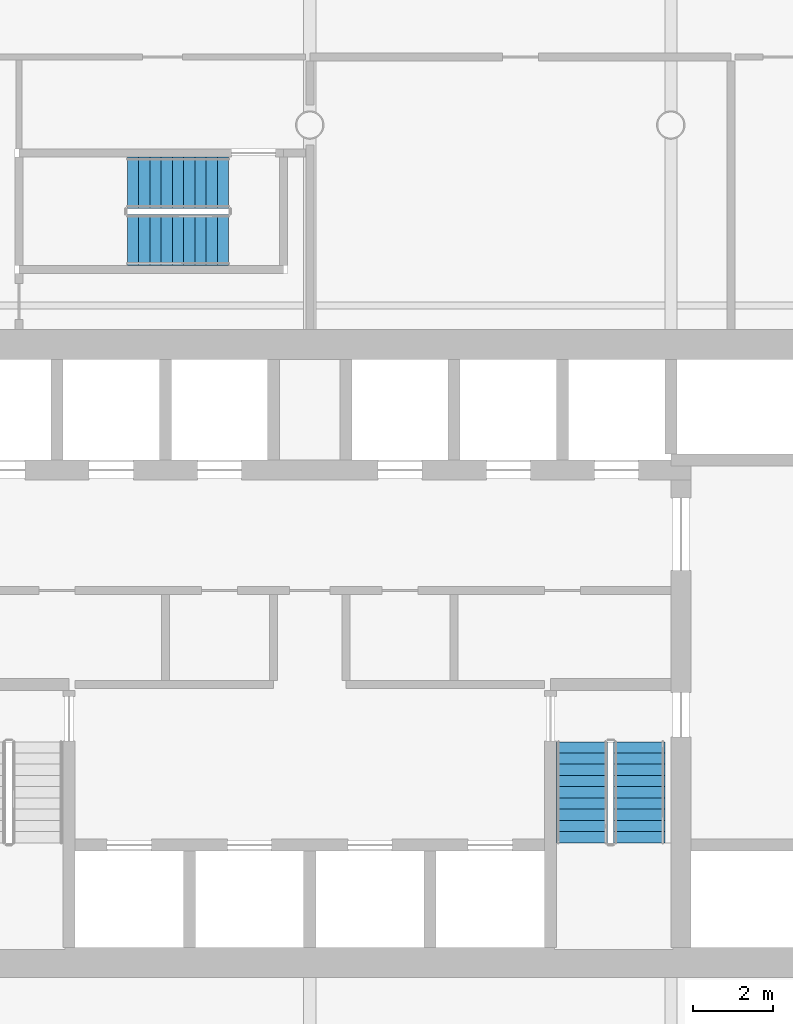
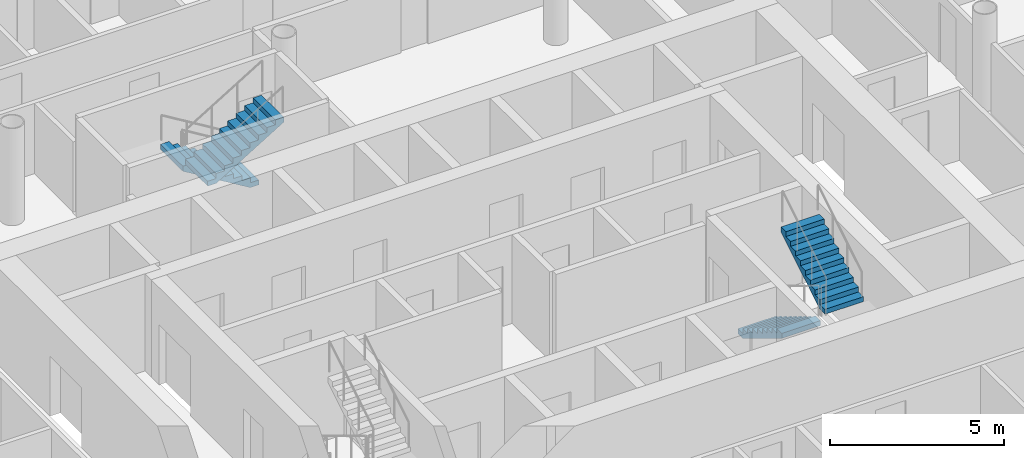
# One storey, part 16 of 21: 4 stair flights, 2 elements without a shape of their own.
"""IFC4 building model written with IfcOpenShell, lengths in metres."""

from ifc_helpers import new_model, si_unit, direction, frame, origin, place, context, subcontext, project, spatial, polyline, outline, extrude, material, type_object, element, aggregate, save


model = new_model("IFC4")

# Units and contexts
model_context = context("Model", 3, precision=1e-05, world=origin(), true_north=direction((0.0, 1.0)))
body_context = subcontext(model_context, "Body", "Model", "MODEL_VIEW")
ifc_project = project(units=[si_unit("LENGTHUNIT", "METRE"), si_unit("AREAUNIT", "SQUARE_METRE"), si_unit("VOLUMEUNIT", "CUBIC_METRE"), si_unit("PLANEANGLEUNIT", "RADIAN"), si_unit("MASSUNIT", "GRAM", prefix="KILO")], contexts=[model_context])

# Site, building, storey
site_placement = place(None, origin())
site = spatial("IfcSite", under=ifc_project, at=site_placement, CompositionType="ELEMENT")
building_placement = place(site_placement, origin())
building = spatial("IfcBuilding", under=site, at=building_placement, Name="Tskaro Facet Tower", CompositionType="ELEMENT")
storey_placement = place(building_placement, frame((0.0, 0.0, 138.5)))
storey = spatial("IfcBuildingStorey", under=building, at=storey_placement, Name="L33", CompositionType="ELEMENT", Elevation=138.5)

# Stair, stair flights
ifc_material = material(Name="Concrete C40/50", Category="concrete")
stair_type = type_object("IfcStairType", Name="ST-TWR", PredefinedType="HALF_TURN_STAIR", material=ifc_material)
stair_1_placement = place(storey_placement, origin())
stair_1 = element("IfcStair", 1, at=stair_1_placement, inside=storey, type_object=stair_type, Name="L33 Exit stair 2", PredefinedType="HALF_TURN_STAIR")
stair_flight_type = type_object("IfcStairFlightType", Name="SFL-RC", PredefinedType="STRAIGHT", material=ifc_material)
stair_flight_1_placement = place(storey_placement, frame((6.78759765625, -6.375, 0.0), z_axis=(0.0, 0.0, 1.0), x_axis=(0.0, -1.0, 0.0)))
stair_flight_1 = element("IfcStairFlight", 2, at=stair_flight_1_placement, type_object=stair_flight_type, Name="ST-2 flight 1", NumberOfRisers=10, NumberOfTreads=9, PredefinedType="STRAIGHT", RiserHeight=0.17, TreadLength=0.28, context=body_context, shape_type="SweptSolid", body=[
    extrude(outline(polyline([(0.0, 0.0), (0.0, 0.169921875), (0.280029296875, 0.169921875), (0.280029296875, 0.340087890625), (0.56005859375, 0.340087890625), (0.56005859375, 0.510009765625), (0.840087890625, 0.510009765625), (0.840087890625, 0.679931640625), (1.1201171875, 0.679931640625), (1.1201171875, 0.85009765625), (1.39990234375, 0.85009765625), (1.39990234375, 1.02001953125), (1.679931640625, 1.02001953125), (1.679931640625, 1.18994140625), (1.9599609375, 1.18994140625), (1.9599609375, 1.360107421875), (2.239990234375, 1.360107421875), (2.239990234375, 1.530029296875), (2.52001953125, 1.530029296875), (2.52001953125, 1.699951171875), (2.52001953125, 1.354736328125), (0.288818359375, 0.0), (0.0, 0.0)])), frame((0.0, 0.637451171875, 0.0), z_axis=(0.0, -1.0, 0.0), x_axis=(1.0, 0.0, 0.0)), (0.0, 0.0, 1.0), 1.27490234375),
])
stair_flight_2_placement = place(storey_placement, frame((8.21240234375, -8.89501953125, 1.699951171875), z_axis=(0.0, 0.0, 1.0), x_axis=(0.0, 1.0, 0.0)))
stair_flight_2 = element("IfcStairFlight", 3, at=stair_flight_2_placement, type_object=stair_flight_type, Name="ST-2 flight 2", NumberOfRisers=10, NumberOfTreads=9, PredefinedType="STRAIGHT", RiserHeight=0.17, TreadLength=0.28, context=body_context, shape_type="SweptSolid", body=[
    extrude(outline(polyline([(0.0, 0.0), (0.0, 0.169921875), (0.280029296875, 0.169921875), (0.280029296875, 0.340087890625), (0.56005859375, 0.340087890625), (0.56005859375, 0.510009765625), (0.840087890625, 0.510009765625), (0.840087890625, 0.679931640625), (1.1201171875, 0.679931640625), (1.1201171875, 0.85009765625), (1.39990234375, 0.85009765625), (1.39990234375, 1.02001953125), (1.679931640625, 1.02001953125), (1.679931640625, 1.18994140625), (1.9599609375, 1.18994140625), (1.9599609375, 1.360107421875), (2.239990234375, 1.360107421875), (2.239990234375, 1.530029296875), (2.52001953125, 1.530029296875), (2.52001953125, 1.699951171875), (2.52001953125, 1.354736328125), (0.288818359375, 0.0), (0.0, 0.0)])), frame((0.0, 0.637451171875, 0.0), z_axis=(0.0, -1.0, 0.0), x_axis=(1.0, 0.0, 0.0)), (0.0, 0.0, 1.0), 1.27490234375),
])
aggregate(stair_1, [stair_flight_1, stair_flight_2])

stair_2_placement = place(storey_placement, origin())
stair_2 = element("IfcStair", 4, at=stair_2_placement, inside=storey, type_object=stair_type, Name="L33 Exit stair 3", PredefinedType="HALF_TURN_STAIR")
stair_flight_3_placement = place(storey_placement, frame((-2.02490234375, 7.5625, 0.0), z_axis=(0.0, 0.0, 1.0), x_axis=(-1.0, 0.0, 0.0)))
stair_flight_3 = element("IfcStairFlight", 5, at=stair_flight_3_placement, type_object=stair_flight_type, Name="ST-3 flight 1", NumberOfRisers=10, NumberOfTreads=9, PredefinedType="STRAIGHT", RiserHeight=0.17, TreadLength=0.28, context=body_context, shape_type="SweptSolid", body=[
    extrude(outline(polyline([(0.0, 0.0), (0.0, 0.169921875), (0.280029296875, 0.169921875), (0.280029296875, 0.340087890625), (0.56005859375, 0.340087890625), (0.56005859375, 0.510009765625), (0.840087890625, 0.510009765625), (0.840087890625, 0.679931640625), (1.1201171875, 0.679931640625), (1.1201171875, 0.85009765625), (1.39990234375, 0.85009765625), (1.39990234375, 1.02001953125), (1.679931640625, 1.02001953125), (1.679931640625, 1.18994140625), (1.9599609375, 1.18994140625), (1.9599609375, 1.360107421875), (2.239990234375, 1.360107421875), (2.239990234375, 1.530029296875), (2.52001953125, 1.530029296875), (2.52001953125, 1.699951171875), (2.52001953125, 1.354736328125), (0.288818359375, 0.0), (0.0, 0.0)])), frame((0.0, 0.637451171875, 0.0), z_axis=(0.0, -1.0, 0.0), x_axis=(1.0, 0.0, 0.0)), (0.0, 0.0, 1.0), 1.27490234375),
])
stair_flight_4_placement = place(storey_placement, frame((-4.544921875, 6.137451171875, 1.699951171875), z_axis=(0.0, 0.0, 1.0), x_axis=(1.0, 0.0, 0.0)))
stair_flight_4 = element("IfcStairFlight", 6, at=stair_flight_4_placement, type_object=stair_flight_type, Name="ST-3 flight 2", NumberOfRisers=10, NumberOfTreads=9, PredefinedType="STRAIGHT", RiserHeight=0.17, TreadLength=0.28, context=body_context, shape_type="SweptSolid", body=[
    extrude(outline(polyline([(0.0, 0.0), (0.0, 0.169921875), (0.280029296875, 0.169921875), (0.280029296875, 0.340087890625), (0.56005859375, 0.340087890625), (0.56005859375, 0.510009765625), (0.840087890625, 0.510009765625), (0.840087890625, 0.679931640625), (1.1201171875, 0.679931640625), (1.1201171875, 0.85009765625), (1.39990234375, 0.85009765625), (1.39990234375, 1.02001953125), (1.679931640625, 1.02001953125), (1.679931640625, 1.18994140625), (1.9599609375, 1.18994140625), (1.9599609375, 1.360107421875), (2.239990234375, 1.360107421875), (2.239990234375, 1.530029296875), (2.52001953125, 1.530029296875), (2.52001953125, 1.699951171875), (2.52001953125, 1.354736328125), (0.288818359375, 0.0), (0.0, 0.0)])), frame((0.0, 0.637451171875, 0.0), z_axis=(0.0, -1.0, 0.0), x_axis=(1.0, 0.0, 0.0)), (0.0, 0.0, 1.0), 1.27490234375),
])
aggregate(stair_2, [stair_flight_3, stair_flight_4])

save(model, "model.ifc")
